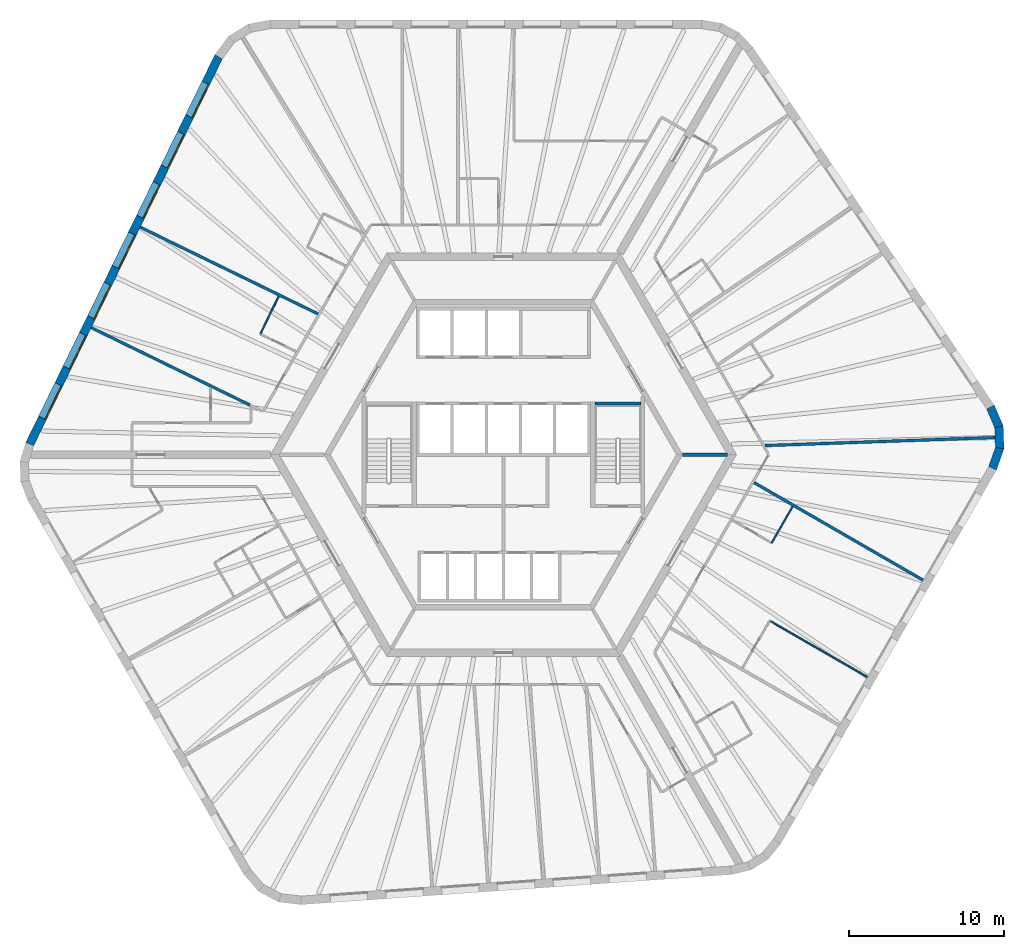
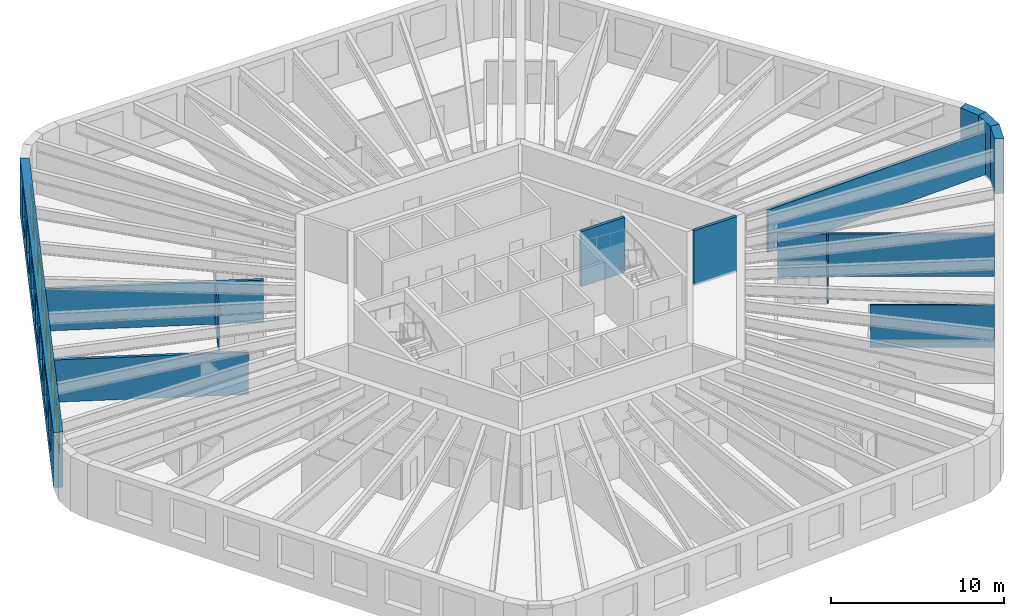
# One storey, part 6 of 10: 13 walls, 7 windows, 7 openings.
"""IFC4 building model written with IfcOpenShell, lengths in metres."""

from ifc_helpers import new_model, si_unit, direction, frame, frame_2d, origin, place, context, subcontext, project, spatial, polyline, rectangle, outline, extrude, material, layer, layer_set, type_object, element, fill, save


model = new_model("IFC4")

# Units and contexts
model_context = context("Model", 3, precision=1e-05, world=origin(), true_north=direction((0.0, 1.0)))
body_context = subcontext(model_context, "Body", "Model", "MODEL_VIEW")
ifc_project = project(units=[si_unit("LENGTHUNIT", "METRE"), si_unit("AREAUNIT", "SQUARE_METRE"), si_unit("VOLUMEUNIT", "CUBIC_METRE"), si_unit("PLANEANGLEUNIT", "RADIAN"), si_unit("MASSUNIT", "GRAM", prefix="KILO")], contexts=[model_context])

# Site, building, storey
site_placement = place(None, origin())
site = spatial("IfcSite", under=ifc_project, at=site_placement, CompositionType="ELEMENT")
building_placement = place(site_placement, origin())
building = spatial("IfcBuilding", under=site, at=building_placement, Name="Tarnside Tower", CompositionType="ELEMENT")
storey_placement = place(building_placement, frame((0.0, 0.0, 234.60009765625)))
storey = spatial("IfcBuildingStorey", under=building, at=storey_placement, Name="L56", CompositionType="ELEMENT", Elevation=234.60009765625)

# Walls
ifc_material_1 = material(Name="Gypsum board partition on steel studs", Category="steel")
ifc_layer_1 = layer(ifc_material_1, 0.10009765625)
ifc_layer_set_1 = layer_set([ifc_layer_1], Name="Bathroom wall 100")
wall_type_1 = type_object("IfcWallType", Name="Bathroom wall 100", PredefinedType="PARTITIONING", material=ifc_layer_set_1)
wall_1_placement = place(storey_placement, frame((-15.640625, 7.8154296875, 0.0), z_axis=(0.0, 0.0, 1.0), x_axis=(0.438380229518, 0.898789616299, 0.0)))
element("IfcWall", 1, at=wall_1_placement, inside=storey, type_object=wall_type_1, Name="Bathroom wall 18065", PredefinedType="PARTITIONING", context=body_context, shape_type="SweptSolid", body=[
    extrude(rectangle(XDim=2.659912109375, YDim=0.10009765625, at=frame_2d((1.330078125, 0.0))), origin(), (0.0, 0.0, 1.0), 2.98779296875),
])
wall_2_placement = place(storey_placement, frame((18.629150390625, -3.333251953125, 0.0), z_axis=(0.0, 0.0, 1.0), x_axis=(-0.499995396135, -0.866028061811, 0.0)))
element("IfcWall", 2, at=wall_2_placement, inside=storey, type_object=wall_type_1, Name="Bathroom wall 18092", PredefinedType="PARTITIONING", context=body_context, shape_type="SweptSolid", body=[
    extrude(rectangle(XDim=2.7099609375, YDim=0.10009765625, at=frame_2d((1.35498046875, 0.0))), origin(), (0.0, 0.0, 1.0), 2.98779296875),
])
ifc_layer_2 = layer(ifc_material_1, 0.179931640625)
ifc_layer_set_2 = layer_set([ifc_layer_2], Name="Demising wall 180 EI 60")
wall_type_2 = type_object("IfcWallType", Name="Demising wall 180 EI 60", PredefinedType="PARTITIONING", material=ifc_layer_set_2)
wall_3_placement = place(storey_placement, frame((-23.392822265625, 14.656005859375, 0.0), z_axis=(0.0, 0.0, 1.0), x_axis=(0.898790356386, -0.438378712152, 0.0)))
element("IfcWall", 3, at=wall_3_placement, inside=storey, type_object=wall_type_2, Name="Demising wall 18062", PredefinedType="PARTITIONING", context=body_context, shape_type="SweptSolid", body=[
    extrude(rectangle(XDim=12.742919921875, YDim=0.179931640625, at=frame_2d((6.37158203125, 0.0))), origin(), (0.0, 0.0, 1.0), 2.98779296875),
])
wall_4_placement = place(storey_placement, frame((-26.549072265625, 8.1845703125, 0.0), z_axis=(0.0, 0.0, 1.0), x_axis=(0.898794655758, -0.438369897211, 0.0)))
element("IfcWall", 4, at=wall_4_placement, inside=storey, type_object=wall_type_2, Name="Demising wall 18066", PredefinedType="PARTITIONING", context=body_context, shape_type="SweptSolid", body=[
    extrude(rectangle(XDim=11.36865234375, YDim=0.179931640625, at=frame_2d((5.684326171875, 0.0))), origin(), (0.0, 0.0, 1.0), 2.98779296875),
])
wall_5_placement = place(storey_placement, frame((27.03125, -8.080322265625, 0.0), z_axis=(0.0, 0.0, 1.0), x_axis=(-0.86602780907, 0.499995833901, 0.0)))
element("IfcWall", 5, at=wall_5_placement, inside=storey, type_object=wall_type_2, Name="Demising wall 18096", PredefinedType="PARTITIONING", context=body_context, shape_type="SweptSolid", body=[
    extrude(rectangle(XDim=12.57470703125, YDim=0.179931640625, at=frame_2d((6.287353515625, 0.0))), origin(), (0.0, 0.0, 1.0), 2.98779296875),
])
wall_6_placement = place(storey_placement, frame((31.66650390625, 1.105712890625, 0.0), z_axis=(0.0, 0.0, 1.0), x_axis=(-0.999390937365, -0.034896336667, 0.0)))
element("IfcWall", 6, at=wall_6_placement, inside=storey, type_object=wall_type_2, Name="Demising wall 18098", PredefinedType="PARTITIONING", context=body_context, shape_type="SweptSolid", body=[
    extrude(rectangle(XDim=14.8388671875, YDim=0.179931640625, at=frame_2d((7.41943359375, 0.0))), origin(), (0.0, 0.0, 1.0), 2.98779296875),
])
ifc_material_2 = material(Name="Concrete C40/50", Category="concrete")
ifc_layer_3 = layer(ifc_material_2, 0.199951171875)
ifc_layer_set_3 = layer_set([ifc_layer_3], Name="Lift shaft wall 200 C40/50")
wall_type_3 = type_object("IfcWallType", Name="Lift shaft wall 200 C40/50", PredefinedType="SHEAR", material=ifc_layer_set_3)
wall_7_placement = place(storey_placement, frame((11.547119140625, 0.0, -0.150146484375), z_axis=(0.0, 0.0, 1.0), x_axis=(1.0, 0.0, 0.0)))
element("IfcWall", 7, at=wall_7_placement, inside=storey, type_object=wall_type_3, Name="L56 core partition AR0", PredefinedType="SHEAR", context=body_context, shape_type="SweptSolid", body=[
    extrude(rectangle(XDim=2.88671875, YDim=0.199951171875, at=frame_2d((1.443359375, 0.0))), origin(), (0.0, 0.0, 1.0), 3.900146484375),
])
wall_8_placement = place(storey_placement, frame((5.89990234375, 3.300048828125, -0.25), z_axis=(0.0, 0.0, 1.0), x_axis=(1.0, 0.0, 0.0)))
element("IfcWall", 8, at=wall_8_placement, inside=storey, type_object=wall_type_3, Name="L56 stair 1 enclosure cap wall n", PredefinedType="SHEAR", context=body_context, shape_type="SweptSolid", body=[
    extrude(rectangle(XDim=2.9501953125, YDim=0.199951171875, at=frame_2d((1.47509765625, 0.0))), origin(), (0.0, 0.0, 1.0), 3.89990234375),
])
ifc_layer_4 = layer(ifc_material_1, 0.10009765625)
ifc_layer_set_4 = layer_set([ifc_layer_4], Name="Partition 100")
wall_type_4 = type_object("IfcWallType", Name="Partition 100", PredefinedType="PARTITIONING", material=ifc_layer_set_4)
wall_9_placement = place(storey_placement, frame((17.196044921875, -10.7158203125, 0.0), z_axis=(0.0, 0.0, 1.0), x_axis=(0.866033125095, -0.499986626058, 0.0)))
element("IfcWall", 9, at=wall_9_placement, inside=storey, type_object=wall_type_4, Name="Partition wall 18095", PredefinedType="PARTITIONING", context=body_context, shape_type="SweptSolid", body=[
    extrude(rectangle(XDim=7.199951171875, YDim=0.10009765625, at=frame_2d((3.60009765625, 0.0))), origin(), (0.0, 0.0, 1.0), 2.98779296875),
])

# Wall, openings, windows
ifc_material_3 = material(Name="Facing brick", Category="masonry")
ifc_layer_5 = layer(ifc_material_3, 0.10205078125)
ifc_material_4 = material(Name="Concrete C60/75 precast", Category="concrete")
ifc_layer_6 = layer(ifc_material_4, 0.347900390625)
ifc_material_5 = material(Name="Mineral wool insulation")
ifc_layer_7 = layer(ifc_material_5, 0.10009765625)
ifc_layer_set_5 = layer_set([ifc_layer_5, ifc_layer_6, ifc_layer_7], Name="Tube wall 550 brick faced")
wall_type_5 = type_object("IfcWallType", Name="Tube wall 550 brick faced", PredefinedType="SOLIDWALL", material=ifc_layer_set_5)
wall_10_placement = place(storey_placement, frame((-18.344970703125, 25.6328125, -0.150146484375), z_axis=(0.0, 0.0, 1.0), x_axis=(-0.43837181828, -0.898793718791, 0.0)))
wall_10 = element("IfcWall", 10, at=wall_10_placement, inside=storey, type_object=wall_type_5, Name="Tube wall L56 F2 flush 04", PredefinedType="SOLIDWALL", context=body_context, shape_type="SweptSolid", body=[
    extrude(outline(polyline([(-0.025634765625, -0.27490234375), (27.7802734375, -0.27490234375), (27.7353515625, 0.27490234375), (0.025634765625, 0.27490234375), (-0.025634765625, -0.27490234375)])), origin(), (0.0, 0.0, 1.0), 3.900146484375),
])
opening_1_placement = place(wall_10_placement, frame((1.87890625, 0.0, 1.050048828125)))
opening_1 = element("IfcOpeningElement", 11, at=opening_1_placement, cuts=wall_10, Name="Opening WH", PredefinedType="OPENING", context=body_context, shape_type="SweptSolid", body=[
    extrude(rectangle(XDim=2.39990234375, YDim=2.39990234375, at=frame_2d((1.199951171875, 1.199951171875))), frame((0.0, 0.28515625, 0.0), z_axis=(0.0, -1.0, 0.0), x_axis=(1.0, 0.0, 0.0)), (0.0, 0.0, 1.0), 0.570068359375),
])
opening_2_placement = place(wall_10_placement, frame((5.47900390625, 0.0, 1.050048828125)))
opening_2 = element("IfcOpeningElement", 12, at=opening_2_placement, cuts=wall_10, Name="Opening WH", PredefinedType="OPENING", context=body_context, shape_type="SweptSolid", body=[
    extrude(rectangle(XDim=2.39990234375, YDim=2.39990234375, at=frame_2d((1.199951171875, 1.199951171875))), frame((0.0, 0.28515625, 0.0), z_axis=(0.0, -1.0, 0.0), x_axis=(1.0, 0.0, 0.0)), (0.0, 0.0, 1.0), 0.570068359375),
])
opening_3_placement = place(wall_10_placement, frame((9.078857421875, 0.0, 1.050048828125)))
opening_3 = element("IfcOpeningElement", 13, at=opening_3_placement, cuts=wall_10, Name="Opening WH", PredefinedType="OPENING", context=body_context, shape_type="SweptSolid", body=[
    extrude(rectangle(XDim=2.39990234375, YDim=2.39990234375, at=frame_2d((1.199951171875, 1.199951171875))), frame((0.0, 0.28515625, 0.0), z_axis=(0.0, -1.0, 0.0), x_axis=(1.0, 0.0, 0.0)), (0.0, 0.0, 1.0), 0.570068359375),
])
opening_4_placement = place(wall_10_placement, frame((12.678955078125, 0.0, 1.050048828125)))
opening_4 = element("IfcOpeningElement", 14, at=opening_4_placement, cuts=wall_10, Name="Opening WH", PredefinedType="OPENING", context=body_context, shape_type="SweptSolid", body=[
    extrude(rectangle(XDim=2.39990234375, YDim=2.39990234375, at=frame_2d((1.199951171875, 1.199951171875))), frame((0.0, 0.28515625, 0.0), z_axis=(0.0, -1.0, 0.0), x_axis=(1.0, 0.0, 0.0)), (0.0, 0.0, 1.0), 0.570068359375),
])
opening_5_placement = place(wall_10_placement, frame((16.27880859375, 0.0, 1.050048828125)))
opening_5 = element("IfcOpeningElement", 15, at=opening_5_placement, cuts=wall_10, Name="Opening WH", PredefinedType="OPENING", context=body_context, shape_type="SweptSolid", body=[
    extrude(rectangle(XDim=2.39990234375, YDim=2.39990234375, at=frame_2d((1.199951171875, 1.199951171875))), frame((0.0, 0.28515625, 0.0), z_axis=(0.0, -1.0, 0.0), x_axis=(1.0, 0.0, 0.0)), (0.0, 0.0, 1.0), 0.570068359375),
])
opening_6_placement = place(wall_10_placement, frame((19.87890625, 0.0, 1.050048828125)))
opening_6 = element("IfcOpeningElement", 16, at=opening_6_placement, cuts=wall_10, Name="Opening WH", PredefinedType="OPENING", context=body_context, shape_type="SweptSolid", body=[
    extrude(rectangle(XDim=2.39990234375, YDim=2.39990234375, at=frame_2d((1.199951171875, 1.199951171875))), frame((0.0, 0.28515625, 0.0), z_axis=(0.0, -1.0, 0.0), x_axis=(1.0, 0.0, 0.0)), (0.0, 0.0, 1.0), 0.570068359375),
])
opening_7_placement = place(wall_10_placement, frame((23.47900390625, 0.0, 1.050048828125)))
opening_7 = element("IfcOpeningElement", 17, at=opening_7_placement, cuts=wall_10, Name="Opening WH", PredefinedType="OPENING", context=body_context, shape_type="SweptSolid", body=[
    extrude(rectangle(XDim=2.39990234375, YDim=2.39990234375, at=frame_2d((1.199951171875, 1.199951171875))), frame((0.0, 0.28515625, 0.0), z_axis=(0.0, -1.0, 0.0), x_axis=(1.0, 0.0, 0.0)), (0.0, 0.0, 1.0), 0.570068359375),
])
ifc_material_6 = material(Name="Aluminium-framed double glazing", Category="aluminium")
window_type = type_object("IfcWindowType", Name="Hotel window 2400 x 2400", PartitioningType="DOUBLE_PANEL_VERTICAL", PredefinedType="WINDOW", material=ifc_material_6)
window_1_placement = place(opening_1_placement, frame((0.0, 0.205078125, 0.0)))
window_1 = element("IfcWindow", 18, at=window_1_placement, inside=storey, type_object=window_type, Name="E.WN.L56.F2.00", OverallHeight=2.39990234375, OverallWidth=2.39990234375, PartitioningType="DOUBLE_PANEL_VERTICAL", PredefinedType="WINDOW", context=body_context, shape_type="SweptSolid", body=[
    extrude(rectangle(XDim=2.39990234375, YDim=2.39990234375, at=frame_2d((1.199951171875, 1.199951171875))), frame((0.0, 0.030029296875, 0.0), z_axis=(0.0, -1.0, 0.0), x_axis=(1.0, 0.0, 0.0)), (0.0, 0.0, 1.0), 0.06005859375),
])
fill(opening_1, window_1)
window_2_placement = place(opening_2_placement, frame((0.0, 0.205078125, 0.0)))
window_2 = element("IfcWindow", 19, at=window_2_placement, inside=storey, type_object=window_type, Name="E.WN.L56.F2.01", OverallHeight=2.39990234375, OverallWidth=2.39990234375, PartitioningType="DOUBLE_PANEL_VERTICAL", PredefinedType="WINDOW", context=body_context, shape_type="SweptSolid", body=[
    extrude(rectangle(XDim=2.39990234375, YDim=2.39990234375, at=frame_2d((1.199951171875, 1.199951171875))), frame((0.0, 0.030029296875, 0.0), z_axis=(0.0, -1.0, 0.0), x_axis=(1.0, 0.0, 0.0)), (0.0, 0.0, 1.0), 0.06005859375),
])
fill(opening_2, window_2)
window_3_placement = place(opening_3_placement, frame((0.0, 0.205078125, 0.0)))
window_3 = element("IfcWindow", 20, at=window_3_placement, inside=storey, type_object=window_type, Name="E.WN.L56.F2.02", OverallHeight=2.39990234375, OverallWidth=2.39990234375, PartitioningType="DOUBLE_PANEL_VERTICAL", PredefinedType="WINDOW", context=body_context, shape_type="SweptSolid", body=[
    extrude(rectangle(XDim=2.39990234375, YDim=2.39990234375, at=frame_2d((1.199951171875, 1.199951171875))), frame((0.0, 0.030029296875, 0.0), z_axis=(0.0, -1.0, 0.0), x_axis=(1.0, 0.0, 0.0)), (0.0, 0.0, 1.0), 0.06005859375),
])
fill(opening_3, window_3)
window_4_placement = place(opening_4_placement, frame((0.0, 0.205078125, 0.0)))
window_4 = element("IfcWindow", 21, at=window_4_placement, inside=storey, type_object=window_type, Name="E.WN.L56.F2.03", OverallHeight=2.39990234375, OverallWidth=2.39990234375, PartitioningType="DOUBLE_PANEL_VERTICAL", PredefinedType="WINDOW", context=body_context, shape_type="SweptSolid", body=[
    extrude(rectangle(XDim=2.39990234375, YDim=2.39990234375, at=frame_2d((1.199951171875, 1.199951171875))), frame((0.0, 0.030029296875, 0.0), z_axis=(0.0, -1.0, 0.0), x_axis=(1.0, 0.0, 0.0)), (0.0, 0.0, 1.0), 0.06005859375),
])
fill(opening_4, window_4)
window_5_placement = place(opening_5_placement, frame((0.0, 0.205078125, 0.0)))
window_5 = element("IfcWindow", 22, at=window_5_placement, inside=storey, type_object=window_type, Name="E.WN.L56.F2.04", OverallHeight=2.39990234375, OverallWidth=2.39990234375, PartitioningType="DOUBLE_PANEL_VERTICAL", PredefinedType="WINDOW", context=body_context, shape_type="SweptSolid", body=[
    extrude(rectangle(XDim=2.39990234375, YDim=2.39990234375, at=frame_2d((1.199951171875, 1.199951171875))), frame((0.0, 0.030029296875, 0.0), z_axis=(0.0, -1.0, 0.0), x_axis=(1.0, 0.0, 0.0)), (0.0, 0.0, 1.0), 0.06005859375),
])
fill(opening_5, window_5)
window_6_placement = place(opening_6_placement, frame((0.0, 0.205078125, 0.0)))
window_6 = element("IfcWindow", 23, at=window_6_placement, inside=storey, type_object=window_type, Name="E.WN.L56.F2.05", OverallHeight=2.39990234375, OverallWidth=2.39990234375, PartitioningType="DOUBLE_PANEL_VERTICAL", PredefinedType="WINDOW", context=body_context, shape_type="SweptSolid", body=[
    extrude(rectangle(XDim=2.39990234375, YDim=2.39990234375, at=frame_2d((1.199951171875, 1.199951171875))), frame((0.0, 0.030029296875, 0.0), z_axis=(0.0, -1.0, 0.0), x_axis=(1.0, 0.0, 0.0)), (0.0, 0.0, 1.0), 0.06005859375),
])
fill(opening_6, window_6)
window_7_placement = place(opening_7_placement, frame((0.0, 0.205078125, 0.0)))
window_7 = element("IfcWindow", 24, at=window_7_placement, inside=storey, type_object=window_type, Name="E.WN.L56.F2.06", OverallHeight=2.39990234375, OverallWidth=2.39990234375, PartitioningType="DOUBLE_PANEL_VERTICAL", PredefinedType="WINDOW", context=body_context, shape_type="SweptSolid", body=[
    extrude(rectangle(XDim=2.39990234375, YDim=2.39990234375, at=frame_2d((1.199951171875, 1.199951171875))), frame((0.0, 0.030029296875, 0.0), z_axis=(0.0, -1.0, 0.0), x_axis=(1.0, 0.0, 0.0)), (0.0, 0.0, 1.0), 0.06005859375),
])
fill(opening_7, window_7)

# Walls
wall_11_placement = place(storey_placement, frame((31.509033203125, -0.874755859375, -0.150146484375), z_axis=(0.0, 0.0, 1.0), x_axis=(0.33111537203, 0.943590276765, 0.0)))
element("IfcWall", 25, at=wall_11_placement, inside=storey, type_object=wall_type_5, Name="Tube wall L56 F5 chord 17", PredefinedType="SOLIDWALL", context=body_context, shape_type="SweptSolid", body=[
    extrude(outline(polyline([(-0.025634765625, -0.27490234375), (1.4306640625, -0.27490234375), (1.3271484375, 0.27490234375), (0.025634765625, 0.27490234375), (-0.025634765625, -0.27490234375)])), origin(), (0.0, 0.0, 1.0), 3.900146484375),
])
wall_12_placement = place(storey_placement, frame((31.965576171875, 0.42626953125, -0.150146484375), z_axis=(0.0, 0.0, 1.0), x_axis=(-0.034876908462, 0.999391615562, 0.0)))
element("IfcWall", 26, at=wall_12_placement, inside=storey, type_object=wall_type_5, Name="Tube wall L56 F5 chord 18", PredefinedType="SOLIDWALL", context=body_context, shape_type="SweptSolid", body=[
    extrude(outline(polyline([(-0.0517578125, -0.27490234375), (1.4306640625, -0.27490234375), (1.3271484375, 0.27490234375), (0.0517578125, 0.27490234375), (-0.0517578125, -0.27490234375)])), origin(), (0.0, 0.0, 1.0), 3.900146484375),
])
wall_13_placement = place(storey_placement, frame((31.91748046875, 1.804443359375, -0.150146484375), z_axis=(0.0, 0.0, 1.0), x_axis=(-0.396225741392, 0.918153125496, 0.0)))
element("IfcWall", 27, at=wall_13_placement, inside=storey, type_object=wall_type_5, Name="Tube wall L56 F5 chord 19", PredefinedType="SOLIDWALL", context=body_context, shape_type="SweptSolid", body=[
    extrude(outline(polyline([(-0.0517578125, -0.27490234375), (1.404541015625, -0.27490234375), (1.353271484375, 0.27490234375), (0.0517578125, 0.27490234375), (-0.0517578125, -0.27490234375)])), origin(), (0.0, 0.0, 1.0), 3.900146484375),
])

save(model, "model.ifc")
